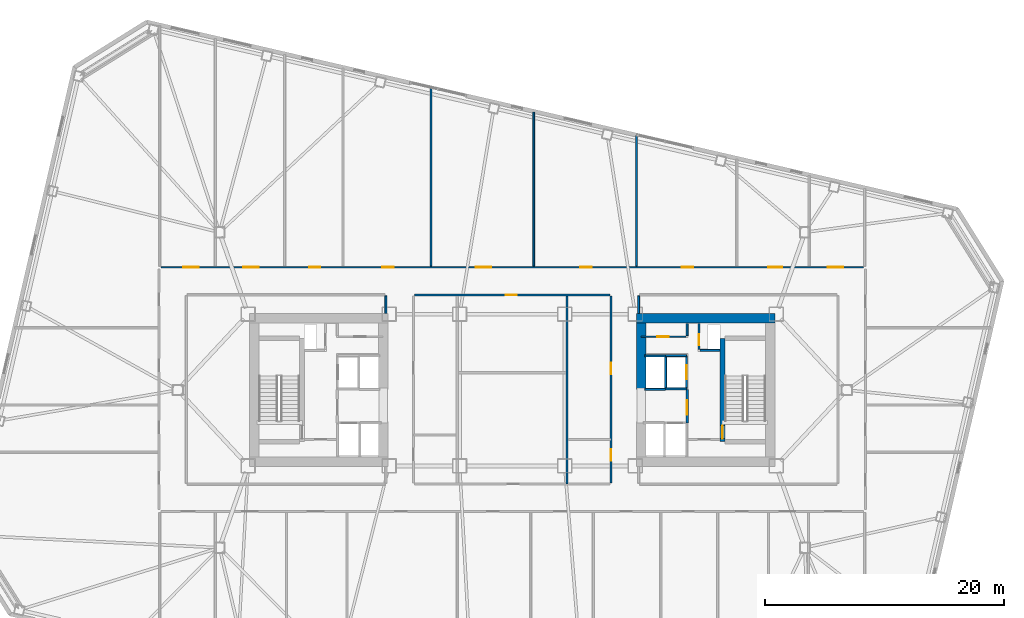
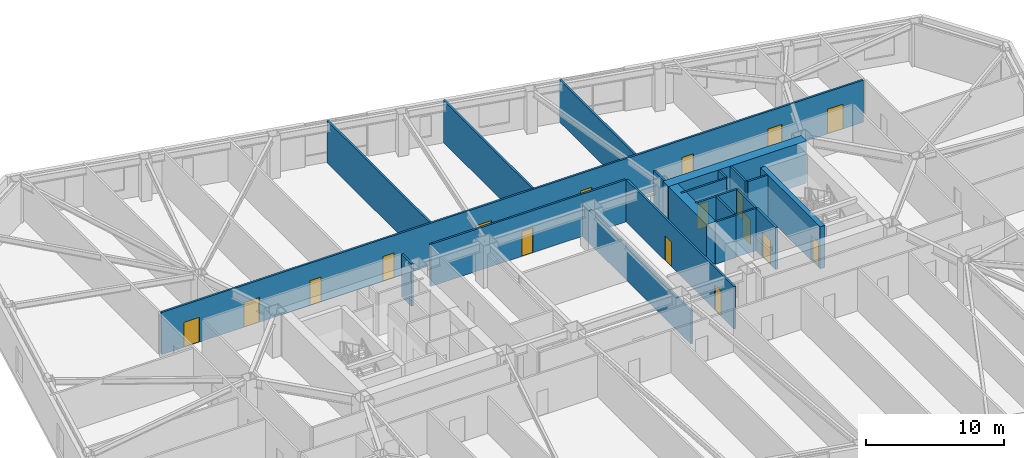
# One storey, part 11 of 18: 23 walls, 17 doors, 17 openings.
"""IFC4 building model written with IfcOpenShell, lengths in metres."""

from ifc_helpers import new_model, si_unit, direction, frame, frame_2d, origin, place, context, subcontext, project, spatial, rectangle, extrude, material, layer, layer_set, type_object, element, fill, save


model = new_model("IFC4")

# Units and contexts
model_context = context("Model", 3, precision=1e-05, world=origin(), true_north=direction((0.0, 1.0)))
body_context = subcontext(model_context, "Body", "Model", "MODEL_VIEW")
ifc_project = project(units=[si_unit("LENGTHUNIT", "METRE"), si_unit("AREAUNIT", "SQUARE_METRE"), si_unit("VOLUMEUNIT", "CUBIC_METRE"), si_unit("PLANEANGLEUNIT", "RADIAN"), si_unit("MASSUNIT", "GRAM", prefix="KILO")], contexts=[model_context])

# Site, building, storey
site_placement = place(None, origin())
site = spatial("IfcSite", under=ifc_project, at=site_placement, CompositionType="ELEMENT")
building_placement = place(site_placement, origin())
building = spatial("IfcBuilding", under=site, at=building_placement, Name="Tavrogorsk Clinical Tower", CompositionType="ELEMENT")
storey_placement = place(building_placement, frame((0.0, 0.0, 51.39990234375)))
storey = spatial("IfcBuildingStorey", under=building, at=storey_placement, Name="L10", CompositionType="ELEMENT", Elevation=51.39990234375)

# Wall, opening, door
ifc_material_1 = material(Name="Concrete B60", Category="concrete")
ifc_layer_1 = layer(ifc_material_1, 0.199951171875)
ifc_layer_set_1 = layer_set([ifc_layer_1], Name="Concrete B60")
wall_type_1 = type_object("IfcWallType", Name="CoreFireWall_200", PredefinedType="SOLIDWALL", material=ifc_layer_set_1)
wall_1_placement = place(storey_placement, frame((14.639892578125, -2.780029296875, 0.0), z_axis=(0.0, 0.0, 1.0), x_axis=(0.0, 1.0, 0.0)))
wall_1 = element("IfcWall", 1, at=wall_1_placement, inside=storey, type_object=wall_type_1, Name="L10 Core East Firefighting Lobby Fire Wall", PredefinedType="SOLIDWALL", context=body_context, shape_type="SweptSolid", body=[
    extrude(rectangle(XDim=2.820068359375, YDim=0.199951171875, at=frame_2d((1.41015625, 0.0))), origin(), (0.0, 0.0, 1.0), 3.739990234375),
])
opening_1_placement = place(wall_1_placement, frame((0.72998046875, 0.0, 0.0)))
opening_1 = element("IfcOpeningElement", 2, at=opening_1_placement, cuts=wall_1, Name="Opening FD-01", PredefinedType="OPENING", context=body_context, shape_type="SweptSolid", body=[
    extrude(rectangle(XDim=1.199951171875, YDim=2.199951171875, at=frame_2d((0.60009765625, 1.10009765625))), frame((0.0, 0.10986328125, 0.0), z_axis=(0.0, -1.0, 0.0), x_axis=(1.0, 0.0, 0.0)), (0.0, 0.0, 1.0), 0.219970703125),
])
ifc_material_2 = material(Name="Galvanised steel fire-rated door assembly", Category="steel")
door_type_1 = type_object("IfcDoorType", Name="FireDoor_FD01_1200", OperationType="NOTDEFINED", PredefinedType="DOOR", material=ifc_material_2)
door_1_placement = place(opening_1_placement, origin())
door_1 = element("IfcDoor", 3, at=door_1_placement, inside=storey, type_object=door_type_1, Name="L10 Core East Firefighting Lobby Entry Door", OperationType="SINGLE_SWING_RIGHT", OverallHeight=2.199951171875, OverallWidth=1.199951171875, PredefinedType="DOOR", context=body_context, shape_type="SweptSolid", body=[
    extrude(rectangle(XDim=1.199951171875, YDim=2.199951171875, at=frame_2d((0.60009765625, 1.10009765625))), frame((0.0, 0.02490234375, 0.0), z_axis=(0.0, -1.0, 0.0), x_axis=(1.0, 0.0, 0.0)), (0.0, 0.0, 1.0), 0.050048828125),
])
fill(opening_1, door_1)

ifc_material_3 = material(Name="Lightweight concrete blockwork B15", Category="masonry")
ifc_layer_2 = layer(ifc_material_3, 0.159912109375)
ifc_layer_set_2 = layer_set([ifc_layer_2], Name="Lightweight concrete blockwork B15")
wall_type_2 = type_object("IfcWallType", Name="PartitionWall_160", PredefinedType="PARTITIONING", material=ifc_layer_set_2)
wall_2_placement = place(storey_placement, frame((10.800048828125, 4.4599609375, 0.0), z_axis=(0.0, 0.0, 1.0), x_axis=(1.0, 0.0, 0.0)))
wall_2 = element("IfcWall", 4, at=wall_2_placement, inside=storey, type_object=wall_type_2, Name="L10 Core East Pneumatic Dispatch South Wall", PredefinedType="PARTITIONING", context=body_context, shape_type="SweptSolid", body=[
    extrude(rectangle(XDim=3.7548828125, YDim=0.159912109375, at=frame_2d((1.87744140625, 0.0))), origin(), (0.0, 0.0, 1.0), 3.739990234375),
])
opening_2_placement = place(wall_2_placement, frame((1.35009765625, 0.0, 0.0)))
opening_2 = element("IfcOpeningElement", 5, at=opening_2_placement, cuts=wall_2, Name="Opening ID-02", PredefinedType="OPENING", context=body_context, shape_type="SweptSolid", body=[
    extrude(rectangle(XDim=0.949951171875, YDim=2.199951171875, at=frame_2d((0.47509765625, 1.10009765625))), frame((0.0, 0.08984375, 0.0), z_axis=(0.0, -1.0, 0.0), x_axis=(1.0, 0.0, 0.0)), (0.0, 0.0, 1.0), 0.179931640625),
])
ifc_material_4 = material(Name="Laminated timber leaf on aluminium frame", Category="wood")
door_type_2 = type_object("IfcDoorType", Name="InteriorDoor_ID02_950", OperationType="NOTDEFINED", PredefinedType="DOOR", material=ifc_material_4)
door_2_placement = place(opening_2_placement, origin())
door_2 = element("IfcDoor", 6, at=door_2_placement, inside=storey, type_object=door_type_2, Name="L10 Core East Pneumatic Dispatch Door", OperationType="SINGLE_SWING_LEFT", OverallHeight=2.199951171875, OverallWidth=0.949951171875, PredefinedType="DOOR", context=body_context, shape_type="SweptSolid", body=[
    extrude(rectangle(XDim=0.949951171875, YDim=2.199951171875, at=frame_2d((0.47509765625, 1.10009765625))), frame((0.0, 0.02490234375, 0.0), z_axis=(0.0, -1.0, 0.0), x_axis=(1.0, 0.0, 0.0)), (0.0, 0.0, 1.0), 0.050048828125),
])
fill(opening_2, door_2)

# Wall
wall_3_placement = place(storey_placement, frame((14.639892578125, 4.544921875, 0.0), z_axis=(0.0, 0.0, 1.0), x_axis=(0.0, 1.0, 0.0)))
element("IfcWall", 7, at=wall_3_placement, inside=storey, type_object=wall_type_2, Name="L10 Core East Pneumatic Dispatch East Wall", PredefinedType="PARTITIONING", context=body_context, shape_type="SweptSolid", body=[
    extrude(rectangle(XDim=1.01513671875, YDim=0.159912109375, at=frame_2d((0.507568359375, 0.0))), origin(), (0.0, 0.0, 1.0), 3.739990234375),
])

# Wall, openings, doors
wall_4_placement = place(storey_placement, frame((-29.4150390625, 10.280029296875, 0.0), z_axis=(0.0, 0.0, 1.0), x_axis=(1.0, 0.0, 0.0)))
wall_4 = element("IfcWall", 8, at=wall_4_placement, inside=storey, type_object=wall_type_2, Name="L10 Corridor Partition 02", PredefinedType="PARTITIONING", context=body_context, shape_type="SweptSolid", body=[
    extrude(rectangle(XDim=58.830078125, YDim=0.159912109375, at=frame_2d((29.4150390625, 0.0))), origin(), (0.0, 0.0, 1.0), 3.739990234375),
])
opening_3_placement = place(wall_4_placement, frame((1.869140625, 0.0, 0.0)))
opening_3 = element("IfcOpeningElement", 9, at=opening_3_placement, cuts=wall_4, Name="Opening ID-01", PredefinedType="OPENING", context=body_context, shape_type="SweptSolid", body=[
    extrude(rectangle(XDim=1.300048828125, YDim=2.199951171875, at=frame_2d((0.64990234375, 1.10009765625))), frame((0.0, 0.08984375, 0.0), z_axis=(0.0, -1.0, 0.0), x_axis=(1.0, 0.0, 0.0)), (0.0, 0.0, 1.0), 0.179931640625),
])
opening_4_placement = place(wall_4_placement, frame((6.8974609375, 0.0, 0.0)))
opening_4 = element("IfcOpeningElement", 10, at=opening_4_placement, cuts=wall_4, Name="Opening ID-01", PredefinedType="OPENING", context=body_context, shape_type="SweptSolid", body=[
    extrude(rectangle(XDim=1.300048828125, YDim=2.199951171875, at=frame_2d((0.64990234375, 1.10009765625))), frame((0.0, 0.08984375, 0.0), z_axis=(0.0, -1.0, 0.0), x_axis=(1.0, 0.0, 0.0)), (0.0, 0.0, 1.0), 0.179931640625),
])
opening_5_placement = place(wall_4_placement, frame((12.41748046875, 0.0, 0.0)))
opening_5 = element("IfcOpeningElement", 11, at=opening_5_placement, cuts=wall_4, Name="Opening ID-02", PredefinedType="OPENING", context=body_context, shape_type="SweptSolid", body=[
    extrude(rectangle(XDim=0.949951171875, YDim=2.199951171875, at=frame_2d((0.47509765625, 1.10009765625))), frame((0.0, 0.08984375, 0.0), z_axis=(0.0, -1.0, 0.0), x_axis=(1.0, 0.0, 0.0)), (0.0, 0.0, 1.0), 0.179931640625),
])
opening_6_placement = place(wall_4_placement, frame((18.544921875, 0.0, 0.0)))
opening_6 = element("IfcOpeningElement", 12, at=opening_6_placement, cuts=wall_4, Name="Opening ID-02", PredefinedType="OPENING", context=body_context, shape_type="SweptSolid", body=[
    extrude(rectangle(XDim=0.949951171875, YDim=2.199951171875, at=frame_2d((0.47509765625, 1.10009765625))), frame((0.0, 0.08984375, 0.0), z_axis=(0.0, -1.0, 0.0), x_axis=(1.0, 0.0, 0.0)), (0.0, 0.0, 1.0), 0.179931640625),
])
opening_7_placement = place(wall_4_placement, frame((26.35009765625, 0.0, 0.0)))
opening_7 = element("IfcOpeningElement", 13, at=opening_7_placement, cuts=wall_4, Name="Opening ID-01", PredefinedType="OPENING", context=body_context, shape_type="SweptSolid", body=[
    extrude(rectangle(XDim=1.300048828125, YDim=2.199951171875, at=frame_2d((0.64990234375, 1.10009765625))), frame((0.0, 0.08984375, 0.0), z_axis=(0.0, -1.0, 0.0), x_axis=(1.0, 0.0, 0.0)), (0.0, 0.0, 1.0), 0.179931640625),
])
opening_8_placement = place(wall_4_placement, frame((35.125, 0.0, 0.0)))
opening_8 = element("IfcOpeningElement", 14, at=opening_8_placement, cuts=wall_4, Name="Opening ID-02", PredefinedType="OPENING", context=body_context, shape_type="SweptSolid", body=[
    extrude(rectangle(XDim=0.949951171875, YDim=2.199951171875, at=frame_2d((0.47509765625, 1.10009765625))), frame((0.0, 0.08984375, 0.0), z_axis=(0.0, -1.0, 0.0), x_axis=(1.0, 0.0, 0.0)), (0.0, 0.0, 1.0), 0.179931640625),
])
opening_9_placement = place(wall_4_placement, frame((43.625, 0.0, 0.0)))
opening_9 = element("IfcOpeningElement", 15, at=opening_9_placement, cuts=wall_4, Name="Opening ID-02", PredefinedType="OPENING", context=body_context, shape_type="SweptSolid", body=[
    extrude(rectangle(XDim=0.949951171875, YDim=2.199951171875, at=frame_2d((0.47509765625, 1.10009765625))), frame((0.0, 0.08984375, 0.0), z_axis=(0.0, -1.0, 0.0), x_axis=(1.0, 0.0, 0.0)), (0.0, 0.0, 1.0), 0.179931640625),
])
opening_10_placement = place(wall_4_placement, frame((50.85009765625, 0.0, 0.0)))
opening_10 = element("IfcOpeningElement", 16, at=opening_10_placement, cuts=wall_4, Name="Opening ID-06", PredefinedType="OPENING", context=body_context, shape_type="SweptSolid", body=[
    extrude(rectangle(XDim=1.14990234375, YDim=2.199951171875, at=frame_2d((0.574951171875, 1.10009765625))), frame((0.0, 0.08984375, 0.0), z_axis=(0.0, -1.0, 0.0), x_axis=(1.0, 0.0, 0.0)), (0.0, 0.0, 1.0), 0.179931640625),
])
opening_11_placement = place(wall_4_placement, frame((55.830810546875, 0.0, 0.0)))
opening_11 = element("IfcOpeningElement", 17, at=opening_11_placement, cuts=wall_4, Name="Opening ID-01", PredefinedType="OPENING", context=body_context, shape_type="SweptSolid", body=[
    extrude(rectangle(XDim=1.300048828125, YDim=2.199951171875, at=frame_2d((0.64990234375, 1.10009765625))), frame((0.0, 0.08984375, 0.0), z_axis=(0.0, -1.0, 0.0), x_axis=(1.0, 0.0, 0.0)), (0.0, 0.0, 1.0), 0.179931640625),
])
door_3_placement = place(opening_5_placement, origin())
door_3 = element("IfcDoor", 18, at=door_3_placement, inside=storey, type_object=door_type_2, Name="L10 North Physician Consultation Office 02B Door", OperationType="SINGLE_SWING_LEFT", OverallHeight=2.199951171875, OverallWidth=0.949951171875, PredefinedType="DOOR", context=body_context, shape_type="SweptSolid", body=[
    extrude(rectangle(XDim=0.949951171875, YDim=2.199951171875, at=frame_2d((0.47509765625, 1.10009765625))), frame((0.0, 0.02490234375, 0.0), z_axis=(0.0, -1.0, 0.0), x_axis=(1.0, 0.0, 0.0)), (0.0, 0.0, 1.0), 0.050048828125),
])
fill(opening_5, door_3)
door_4_placement = place(opening_6_placement, origin())
door_4 = element("IfcDoor", 19, at=door_4_placement, inside=storey, type_object=door_type_2, Name="L10 North Multidisciplinary Case Room 03 Door", OperationType="SINGLE_SWING_RIGHT", OverallHeight=2.199951171875, OverallWidth=0.949951171875, PredefinedType="DOOR", context=body_context, shape_type="SweptSolid", body=[
    extrude(rectangle(XDim=0.949951171875, YDim=2.199951171875, at=frame_2d((0.47509765625, 1.10009765625))), frame((0.0, 0.02490234375, 0.0), z_axis=(0.0, -1.0, 0.0), x_axis=(1.0, 0.0, 0.0)), (0.0, 0.0, 1.0), 0.050048828125),
])
fill(opening_6, door_4)
door_5_placement = place(opening_8_placement, origin())
door_5 = element("IfcDoor", 20, at=door_5_placement, inside=storey, type_object=door_type_2, Name="L10 North Clinical Examination Suite 05 Door", OperationType="SINGLE_SWING_RIGHT", OverallHeight=2.199951171875, OverallWidth=0.949951171875, PredefinedType="DOOR", context=body_context, shape_type="SweptSolid", body=[
    extrude(rectangle(XDim=0.949951171875, YDim=2.199951171875, at=frame_2d((0.47509765625, 1.10009765625))), frame((0.0, 0.02490234375, 0.0), z_axis=(0.0, -1.0, 0.0), x_axis=(1.0, 0.0, 0.0)), (0.0, 0.0, 1.0), 0.050048828125),
])
fill(opening_8, door_5)
door_6_placement = place(opening_9_placement, origin())
door_6 = element("IfcDoor", 21, at=door_6_placement, inside=storey, type_object=door_type_2, Name="L10 North Diagnostic Ultrasound Suite 06 Door", OperationType="SINGLE_SWING_LEFT", OverallHeight=2.199951171875, OverallWidth=0.949951171875, PredefinedType="DOOR", context=body_context, shape_type="SweptSolid", body=[
    extrude(rectangle(XDim=0.949951171875, YDim=2.199951171875, at=frame_2d((0.47509765625, 1.10009765625))), frame((0.0, 0.02490234375, 0.0), z_axis=(0.0, -1.0, 0.0), x_axis=(1.0, 0.0, 0.0)), (0.0, 0.0, 1.0), 0.050048828125),
])
fill(opening_9, door_6)
ifc_material_5 = material(Name="Antibacterial HPL procedure door on aluminium frame", Category="aluminium")
door_type_3 = type_object("IfcDoorType", Name="LabDoor_ID06_1150", OperationType="NOTDEFINED", PredefinedType="DOOR", material=ifc_material_5)
door_7_placement = place(opening_10_placement, origin())
door_7 = element("IfcDoor", 22, at=door_7_placement, inside=storey, type_object=door_type_3, Name="L10 North Physiotherapy Rehab Studio 07 Door", OperationType="SINGLE_SWING_RIGHT", OverallHeight=2.199951171875, OverallWidth=1.14990234375, PredefinedType="DOOR", context=body_context, shape_type="SweptSolid", body=[
    extrude(rectangle(XDim=1.14990234375, YDim=2.199951171875, at=frame_2d((0.574951171875, 1.10009765625))), frame((0.0, 0.02490234375, 0.0), z_axis=(0.0, -1.0, 0.0), x_axis=(1.0, 0.0, 0.0)), (0.0, 0.0, 1.0), 0.050048828125),
])
fill(opening_10, door_7)
ifc_material_6 = material(Name="Antibacterial HPL medical leaf on aluminium frame", Category="aluminium")
door_type_4 = type_object("IfcDoorType", Name="WardBedDoor_ID01_1300", OperationType="NOTDEFINED", PredefinedType="DOOR", material=ifc_material_6)
door_8_placement = place(opening_3_placement, origin())
door_8 = element("IfcDoor", 23, at=door_8_placement, inside=storey, type_object=door_type_4, Name="L10 North Acute Isolation Suite 01 Door", OperationType="SINGLE_SWING_LEFT", OverallHeight=2.199951171875, OverallWidth=1.300048828125, PredefinedType="DOOR", context=body_context, shape_type="SweptSolid", body=[
    extrude(rectangle(XDim=1.300048828125, YDim=2.199951171875, at=frame_2d((0.64990234375, 1.10009765625))), frame((0.0, 0.02490234375, 0.0), z_axis=(0.0, -1.0, 0.0), x_axis=(1.0, 0.0, 0.0)), (0.0, 0.0, 1.0), 0.050048828125),
])
fill(opening_3, door_8)
door_9_placement = place(opening_4_placement, origin())
door_9 = element("IfcDoor", 24, at=door_9_placement, inside=storey, type_object=door_type_4, Name="L10 North Sub-Acute Recovery Ward 02A Door", OperationType="SINGLE_SWING_RIGHT", OverallHeight=2.199951171875, OverallWidth=1.300048828125, PredefinedType="DOOR", context=body_context, shape_type="SweptSolid", body=[
    extrude(rectangle(XDim=1.300048828125, YDim=2.199951171875, at=frame_2d((0.64990234375, 1.10009765625))), frame((0.0, 0.02490234375, 0.0), z_axis=(0.0, -1.0, 0.0), x_axis=(1.0, 0.0, 0.0)), (0.0, 0.0, 1.0), 0.050048828125),
])
fill(opening_4, door_9)
door_10_placement = place(opening_7_placement, origin())
door_10 = element("IfcDoor", 25, at=door_10_placement, inside=storey, type_object=door_type_4, Name="L10 North Inpatient Clinical Ward 04 Door", OperationType="SINGLE_SWING_LEFT", OverallHeight=2.199951171875, OverallWidth=1.300048828125, PredefinedType="DOOR", context=body_context, shape_type="SweptSolid", body=[
    extrude(rectangle(XDim=1.300048828125, YDim=2.199951171875, at=frame_2d((0.64990234375, 1.10009765625))), frame((0.0, 0.02490234375, 0.0), z_axis=(0.0, -1.0, 0.0), x_axis=(1.0, 0.0, 0.0)), (0.0, 0.0, 1.0), 0.050048828125),
])
fill(opening_7, door_10)
door_11_placement = place(opening_11_placement, origin())
door_11 = element("IfcDoor", 26, at=door_11_placement, inside=storey, type_object=door_type_4, Name="L10 North Step-Down Telemetry Ward 08 Door", OperationType="SINGLE_SWING_LEFT", OverallHeight=2.199951171875, OverallWidth=1.300048828125, PredefinedType="DOOR", context=body_context, shape_type="SweptSolid", body=[
    extrude(rectangle(XDim=1.300048828125, YDim=2.199951171875, at=frame_2d((0.64990234375, 1.10009765625))), frame((0.0, 0.02490234375, 0.0), z_axis=(0.0, -1.0, 0.0), x_axis=(1.0, 0.0, 0.0)), (0.0, 0.0, 1.0), 0.050048828125),
])
fill(opening_11, door_11)

# Wall
wall_5_placement = place(storey_placement, frame((10.580078125, 7.885009765625, 0.0), z_axis=(0.0, 0.0, 1.0), x_axis=(0.0, -1.0, 0.0)))
element("IfcWall", 27, at=wall_5_placement, inside=storey, type_object=wall_type_2, Name="L10 Corridor Partition 06", PredefinedType="PARTITIONING", context=body_context, shape_type="SweptSolid", body=[
    extrude(rectangle(XDim=1.465087890625, YDim=0.159912109375, at=frame_2d((0.732421875, 0.0))), origin(), (0.0, 0.0, 1.0), 3.739990234375),
])

# Wall, openings, doors
wall_6_placement = place(storey_placement, frame((8.27001953125, -7.784912109375, 0.0), z_axis=(0.0, 0.0, 1.0), x_axis=(0.0, 1.0, 0.0)))
wall_6 = element("IfcWall", 28, at=wall_6_placement, inside=storey, type_object=wall_type_2, Name="L10 Corridor Partition 10", PredefinedType="PARTITIONING", context=body_context, shape_type="SweptSolid", body=[
    extrude(rectangle(XDim=15.669921875, YDim=0.159912109375, at=frame_2d((7.8349609375, 0.0))), origin(), (0.0, 0.0, 1.0), 3.739990234375),
])
opening_12_placement = place(wall_6_placement, frame((1.879150390625, 0.0, 0.0)))
opening_12 = element("IfcOpeningElement", 29, at=opening_12_placement, cuts=wall_6, Name="Opening ID-02", PredefinedType="OPENING", context=body_context, shape_type="SweptSolid", body=[
    extrude(rectangle(XDim=0.949951171875, YDim=2.199951171875, at=frame_2d((0.47509765625, 1.10009765625))), frame((0.0, 0.08984375, 0.0), z_axis=(0.0, -1.0, 0.0), x_axis=(1.0, 0.0, 0.0)), (0.0, 0.0, 1.0), 0.179931640625),
])
opening_13_placement = place(wall_6_placement, frame((9.11083984375, 0.0, 0.0)))
opening_13 = element("IfcOpeningElement", 30, at=opening_13_placement, cuts=wall_6, Name="Opening ID-02", PredefinedType="OPENING", context=body_context, shape_type="SweptSolid", body=[
    extrude(rectangle(XDim=0.949951171875, YDim=2.199951171875, at=frame_2d((0.47509765625, 1.10009765625))), frame((0.0, 0.08984375, 0.0), z_axis=(0.0, -1.0, 0.0), x_axis=(1.0, 0.0, 0.0)), (0.0, 0.0, 1.0), 0.179931640625),
])
door_12_placement = place(opening_12_placement, origin())
door_12 = element("IfcDoor", 31, at=door_12_placement, inside=storey, type_object=door_type_2, Name="L10 Staff & Visitor Accessible WC Door", OperationType="SINGLE_SWING_LEFT", OverallHeight=2.199951171875, OverallWidth=0.949951171875, PredefinedType="DOOR", context=body_context, shape_type="SweptSolid", body=[
    extrude(rectangle(XDim=0.949951171875, YDim=2.199951171875, at=frame_2d((0.47509765625, 1.10009765625))), frame((0.0, 0.02490234375, 0.0), z_axis=(0.0, -1.0, 0.0), x_axis=(1.0, 0.0, 0.0)), (0.0, 0.0, 1.0), 0.050048828125),
])
fill(opening_12, door_12)
door_13_placement = place(opening_13_placement, origin())
door_13 = element("IfcDoor", 32, at=door_13_placement, inside=storey, type_object=door_type_2, Name="L10 Attending Physician Office Door", OperationType="SINGLE_SWING_RIGHT", OverallHeight=2.199951171875, OverallWidth=0.949951171875, PredefinedType="DOOR", context=body_context, shape_type="SweptSolid", body=[
    extrude(rectangle(XDim=0.949951171875, YDim=2.199951171875, at=frame_2d((0.47509765625, 1.10009765625))), frame((0.0, 0.02490234375, 0.0), z_axis=(0.0, -1.0, 0.0), x_axis=(1.0, 0.0, 0.0)), (0.0, 0.0, 1.0), 0.050048828125),
])
fill(opening_13, door_13)

# Wall, opening, door
wall_7_placement = place(storey_placement, frame((8.18505859375, 7.969970703125, 0.0), z_axis=(0.0, 0.0, 1.0), x_axis=(-1.0, 0.0, 0.0)))
wall_7 = element("IfcWall", 33, at=wall_7_placement, inside=storey, type_object=wall_type_2, Name="L10 Corridor Partition 11", PredefinedType="PARTITIONING", context=body_context, shape_type="SweptSolid", body=[
    extrude(rectangle(XDim=16.3701171875, YDim=0.159912109375, at=frame_2d((8.18505859375, 0.0))), origin(), (0.0, 0.0, 1.0), 3.739990234375),
])
opening_14_placement = place(wall_7_placement, frame((7.794921875, 0.0, 0.0)))
opening_14 = element("IfcOpeningElement", 34, at=opening_14_placement, cuts=wall_7, Name="Opening ID-02", PredefinedType="OPENING", context=body_context, shape_type="SweptSolid", body=[
    extrude(rectangle(XDim=0.949951171875, YDim=2.199951171875, at=frame_2d((0.47509765625, 1.10009765625))), frame((0.0, 0.08984375, 0.0), z_axis=(0.0, -1.0, 0.0), x_axis=(1.0, 0.0, 0.0)), (0.0, 0.0, 1.0), 0.179931640625),
])
door_14_placement = place(opening_14_placement, origin())
door_14 = element("IfcDoor", 35, at=door_14_placement, inside=storey, type_object=door_type_2, Name="L10 Nurses' Station & Triage Hub Door", OperationType="SINGLE_SWING_RIGHT", OverallHeight=2.199951171875, OverallWidth=0.949951171875, PredefinedType="DOOR", context=body_context, shape_type="SweptSolid", body=[
    extrude(rectangle(XDim=0.949951171875, YDim=2.199951171875, at=frame_2d((0.47509765625, 1.10009765625))), frame((0.0, 0.02490234375, 0.0), z_axis=(0.0, -1.0, 0.0), x_axis=(1.0, 0.0, 0.0)), (0.0, 0.0, 1.0), 0.050048828125),
])
fill(opening_14, door_14)

# Walls
wall_8_placement = place(storey_placement, frame((-10.580078125, 6.419921875, 0.0), z_axis=(0.0, 0.0, 1.0), x_axis=(0.0, 1.0, 0.0)))
element("IfcWall", 36, at=wall_8_placement, inside=storey, type_object=wall_type_2, Name="L10 Corridor Partition 15", PredefinedType="PARTITIONING", context=body_context, shape_type="SweptSolid", body=[
    extrude(rectangle(XDim=1.465087890625, YDim=0.159912109375, at=frame_2d((0.732421875, 0.0))), origin(), (0.0, 0.0, 1.0), 3.739990234375),
])
wall_9_placement = place(storey_placement, frame((-6.800048828125, 10.364990234375, 0.0), z_axis=(0.0, 0.0, 1.0), x_axis=(0.0, 1.0, 0.0)))
element("IfcWall", 37, at=wall_9_placement, inside=storey, type_object=wall_type_2, Name="L10 North Room Partition 3", PredefinedType="PARTITIONING", context=body_context, shape_type="SweptSolid", body=[
    extrude(rectangle(XDim=14.8779296875, YDim=0.159912109375, at=frame_2d((7.43896484375, 0.0))), origin(), (0.0, 0.0, 1.0), 3.739990234375),
])
wall_10_placement = place(storey_placement, frame((1.800048828125, 10.364990234375, 0.0), z_axis=(0.0, 0.0, 1.0), x_axis=(0.0, 1.0, 0.0)))
element("IfcWall", 38, at=wall_10_placement, inside=storey, type_object=wall_type_2, Name="L10 North Room Partition 4", PredefinedType="PARTITIONING", context=body_context, shape_type="SweptSolid", body=[
    extrude(rectangle(XDim=12.892333984375, YDim=0.159912109375, at=frame_2d((6.4462890625, 0.0))), origin(), (0.0, 0.0, 1.0), 3.739990234375),
])
wall_11_placement = place(storey_placement, frame((10.39990234375, 10.364990234375, 0.0), z_axis=(0.0, 0.0, 1.0), x_axis=(0.0, 1.0, 0.0)))
element("IfcWall", 39, at=wall_11_placement, inside=storey, type_object=wall_type_2, Name="L10 North Room Partition 5", PredefinedType="PARTITIONING", context=body_context, shape_type="SweptSolid", body=[
    extrude(rectangle(XDim=10.906982421875, YDim=0.159912109375, at=frame_2d((5.45361328125, 0.0))), origin(), (0.0, 0.0, 1.0), 3.739990234375),
])
ifc_material_7 = material(Name="Lightweight concrete blockwork B20", Category="masonry")
ifc_layer_3 = layer(ifc_material_7, 0.179931640625)
ifc_layer_set_3 = layer_set([ifc_layer_3], Name="Lightweight concrete blockwork B20")
wall_type_3 = type_object("IfcWallType", Name="PartitionWall_180", PredefinedType="PARTITIONING", material=ifc_layer_set_3)
wall_12_placement = place(storey_placement, frame((4.60009765625, -7.864990234375, 0.0), z_axis=(0.0, 0.0, 1.0), x_axis=(0.0, 1.0, 0.0)))
element("IfcWall", 40, at=wall_12_placement, inside=storey, type_object=wall_type_3, Name="L10 Central Spine Partition 2", PredefinedType="PARTITIONING", context=body_context, shape_type="SweptSolid", body=[
    extrude(rectangle(XDim=15.830078125, YDim=0.179931640625, at=frame_2d((7.9150390625, 0.0))), origin(), (0.0, 0.0, 1.0), 2.93505859375),
])

# Wall, opening, door
ifc_material_8 = material(Name="Lightweight concrete blockwork B25", Category="masonry")
ifc_layer_4 = layer(ifc_material_8, 0.159912109375)
ifc_layer_set_4 = layer_set([ifc_layer_4], Name="Lightweight concrete blockwork B25")
wall_type_4 = type_object("IfcWallType", Name="ShaftWall_160", PredefinedType="PARTITIONING", material=ifc_layer_set_4)
wall_13_placement = place(storey_placement, frame((14.60009765625, 0.1201171875, 0.0), z_axis=(0.0, 0.0, 1.0), x_axis=(0.0, 1.0, 0.0)))
wall_13 = element("IfcWall", 41, at=wall_13_placement, inside=storey, type_object=wall_type_4, Name="L10 FFL-E Firefighting Lift Front Wall", PredefinedType="PARTITIONING", context=body_context, shape_type="SweptSolid", body=[
    extrude(rectangle(XDim=2.739990234375, YDim=0.159912109375, at=frame_2d((1.3701171875, 0.0))), origin(), (0.0, 0.0, 1.0), 3.739990234375),
])
opening_15_placement = place(wall_13_placement, frame((0.77001953125, 0.0, 0.0)))
opening_15 = element("IfcOpeningElement", 42, at=opening_15_placement, cuts=wall_13, Name="Opening LD", PredefinedType="OPENING", context=body_context, shape_type="SweptSolid", body=[
    extrude(rectangle(XDim=1.199951171875, YDim=2.199951171875, at=frame_2d((0.60009765625, 1.10009765625))), frame((0.0, 0.08984375, 0.0), z_axis=(0.0, -1.0, 0.0), x_axis=(1.0, 0.0, 0.0)), (0.0, 0.0, 1.0), 0.179931640625),
])
ifc_material_9 = material(Name="Brushed stainless steel AISI 304 sliding doors", Category="steel")
door_type_5 = type_object("IfcDoorType", Name="LiftLandingDoor_LD_1200", OperationType="SLIDING_TO_LEFT", PredefinedType="DOOR", material=ifc_material_9)
door_15_placement = place(opening_15_placement, origin())
door_15 = element("IfcDoor", 43, at=door_15_placement, inside=storey, type_object=door_type_5, Name="L10 FFL-E Sliding Lift Landing Door", OperationType="SLIDING_TO_LEFT", OverallHeight=2.199951171875, OverallWidth=1.199951171875, PredefinedType="DOOR", context=body_context, shape_type="SweptSolid", body=[
    extrude(rectangle(XDim=1.199951171875, YDim=2.199951171875, at=frame_2d((0.60009765625, 1.10009765625))), frame((0.0, 0.02490234375, 0.0), z_axis=(0.0, -1.0, 0.0), x_axis=(1.0, 0.0, 0.0)), (0.0, 0.0, 1.0), 0.050048828125),
])
fill(opening_15, door_15)

# Walls
for number, where, z_axis, x_axis, name in (
    (44, (12.840087890625, 0.10009765625, 0.0), (0.0, 0.0, 1.0), (1.0, 0.0, 0.0), "L10 FFL-E Shaft South Wall"),
    (45, (12.840087890625, 2.8798828125, 0.0), (0.0, 0.0, 1.0), (1.0, 0.0, 0.0), "L10 FFL-E Shaft North Wall"),
):
    element("IfcWall", number, at=place(storey_placement, frame(where, z_axis=z_axis, x_axis=x_axis)), inside=storey, type_object=wall_type_4, Name=name, PredefinedType="PARTITIONING", context=body_context, shape_type="SweptSolid", body=[
        extrude(rectangle(XDim=1.760009765625, YDim=0.159912109375, at=frame_2d((0.8798828125, 0.0))), origin(), (0.0, 0.0, 1.0), 3.739990234375),
    ])
wall_14_placement = place(storey_placement, frame((12.840087890625, 0.179931640625, 0.0), z_axis=(0.0, 0.0, 1.0), x_axis=(0.0, 1.0, 0.0)))
element("IfcWall", 46, at=wall_14_placement, inside=storey, type_object=wall_type_4, Name="L10 FFL-E Shaft Back Wall", PredefinedType="PARTITIONING", context=body_context, shape_type="SweptSolid", body=[
    extrude(rectangle(XDim=2.6201171875, YDim=0.159912109375, at=frame_2d((1.31005859375, 0.0))), origin(), (0.0, 0.0, 1.0), 3.739990234375),
])
for number, where, z_axis, x_axis, name in (
    (47, (11.10009765625, 0.06005859375, 0.0), (0.0, 0.0, 1.0), (1.0, 0.0, 0.0), "L10 LP-H2 High-Zone Lift Portal Wall"),
    (48, (11.10009765625, 2.860107421875, 0.0), (0.0, 0.0, 1.0), (1.0, 0.0, 0.0), "L10 LP-H2 High-Zone Lift Rear Wall"),
):
    element("IfcWall", number, at=place(storey_placement, frame(where, z_axis=z_axis, x_axis=x_axis)), inside=storey, type_object=wall_type_4, Name=name, PredefinedType="PARTITIONING", context=body_context, shape_type="SweptSolid", body=[
        extrude(rectangle(XDim=1.719970703125, YDim=0.159912109375, at=frame_2d((0.85986328125, 0.0))), origin(), (0.0, 0.0, 1.0), 3.739990234375),
    ])

# Wall, opening, door
wall_15_placement = place(storey_placement, frame((15.639892578125, 3.405029296875, 0.0), z_axis=(0.0, 0.0, 1.0), x_axis=(0.0, 1.0, 0.0)))
wall_15 = element("IfcWall", 49, at=wall_15_placement, inside=storey, type_object=wall_type_4, Name="L10 Core East Riser West Wall", PredefinedType="PARTITIONING", context=body_context, shape_type="SweptSolid", body=[
    extrude(rectangle(XDim=2.155029296875, YDim=0.159912109375, at=frame_2d((1.07763671875, 0.0))), origin(), (0.0, 0.0, 1.0), 3.739990234375),
])
opening_16_placement = place(wall_15_placement, frame((0.35009765625, 0.0, 0.0)))
opening_16 = element("IfcOpeningElement", 50, at=opening_16_placement, cuts=wall_15, Name="Opening FD-02", PredefinedType="OPENING", context=body_context, shape_type="SweptSolid", body=[
    extrude(rectangle(XDim=0.89990234375, YDim=2.199951171875, at=frame_2d((0.449951171875, 1.10009765625))), frame((0.0, 0.08984375, 0.0), z_axis=(0.0, -1.0, 0.0), x_axis=(1.0, 0.0, 0.0)), (0.0, 0.0, 1.0), 0.179931640625),
])
ifc_material_10 = material(Name="Galvanised steel fire-rated door assembly", Category="steel")
door_type_6 = type_object("IfcDoorType", Name="FireDoor_FD02_900", OperationType="NOTDEFINED", PredefinedType="DOOR", material=ifc_material_10)
door_16_placement = place(opening_16_placement, origin())
door_16 = element("IfcDoor", 51, at=door_16_placement, inside=storey, type_object=door_type_6, Name="L10 Core East Electrical Riser Access Door", OperationType="SINGLE_SWING_LEFT", OverallHeight=2.199951171875, OverallWidth=0.89990234375, PredefinedType="DOOR", context=body_context, shape_type="SweptSolid", body=[
    extrude(rectangle(XDim=0.89990234375, YDim=2.199951171875, at=frame_2d((0.449951171875, 1.10009765625))), frame((0.0, 0.02490234375, 0.0), z_axis=(0.0, -1.0, 0.0), x_axis=(1.0, 0.0, 0.0)), (0.0, 0.0, 1.0), 0.050048828125),
])
fill(opening_16, door_16)

# Wall
wall_16_placement = place(storey_placement, frame((15.72509765625, 3.320068359375, 0.0), z_axis=(0.0, 0.0, 1.0), x_axis=(1.0, 0.0, 0.0)))
element("IfcWall", 52, at=wall_16_placement, inside=storey, type_object=wall_type_4, Name="L10 Core East Riser South Wall", PredefinedType="PARTITIONING", context=body_context, shape_type="SweptSolid", body=[
    extrude(rectangle(XDim=1.65478515625, YDim=0.159912109375, at=frame_2d((0.827392578125, 0.0))), origin(), (0.0, 0.0, 1.0), 3.739990234375),
])

# Wall, opening, door
ifc_material_11 = material(Name="Concrete B80", Category="concrete")
ifc_layer_5 = layer(ifc_material_11, 0.39990234375)
ifc_layer_set_5 = layer_set([ifc_layer_5], Name="Concrete B80")
wall_type_5 = type_object("IfcWallType", Name="ShearWall_400", PredefinedType="SHEAR", material=ifc_layer_set_5)
wall_17_placement = place(storey_placement, frame((17.60009765625, -4.324951171875, 0.0), z_axis=(0.0, 0.0, 1.0), x_axis=(0.0, 1.0, 0.0)))
wall_17 = element("IfcWall", 53, at=wall_17_placement, inside=storey, type_object=wall_type_5, Name="L10 Core East Stair Shaft Inner Shear Wall", PredefinedType="SHEAR", context=body_context, shape_type="SweptSolid", body=[
    extrude(rectangle(XDim=8.64990234375, YDim=0.39990234375, at=frame_2d((4.324951171875, 0.0))), origin(), (0.0, 0.0, 1.0), 3.739990234375),
])
opening_17_placement = place(wall_17_placement, frame((0.25, 0.0, 0.0)))
opening_17 = element("IfcOpeningElement", 54, at=opening_17_placement, cuts=wall_17, Name="Opening SD-01", PredefinedType="OPENING", context=body_context, shape_type="SweptSolid", body=[
    extrude(rectangle(XDim=1.10009765625, YDim=2.199951171875, at=frame_2d((0.550048828125, 1.10009765625))), frame((0.0, 0.2099609375, 0.0), z_axis=(0.0, -1.0, 0.0), x_axis=(1.0, 0.0, 0.0)), (0.0, 0.0, 1.0), 0.419921875),
])
ifc_material_12 = material(Name="Galvanised steel smoke-tight fire door assembly", Category="steel")
door_type_7 = type_object("IfcDoorType", Name="StairFireDoor_SD01_1100", OperationType="NOTDEFINED", PredefinedType="DOOR", material=ifc_material_12)
door_17_placement = place(opening_17_placement, origin())
door_17 = element("IfcDoor", 55, at=door_17_placement, inside=storey, type_object=door_type_7, Name="L10 ST-E Exit Stair Door", OperationType="SINGLE_SWING_RIGHT", OverallHeight=2.199951171875, OverallWidth=1.10009765625, PredefinedType="DOOR", context=body_context, shape_type="SweptSolid", body=[
    extrude(rectangle(XDim=1.10009765625, YDim=2.199951171875, at=frame_2d((0.550048828125, 1.10009765625))), frame((0.0, 0.02490234375, 0.0), z_axis=(0.0, -1.0, 0.0), x_axis=(1.0, 0.0, 0.0)), (0.0, 0.0, 1.0), 0.050048828125),
])
fill(opening_17, door_17)

# Walls
ifc_material_13 = material(Name="Concrete B80", Category="concrete")
ifc_layer_6 = layer(ifc_material_13, 0.800048828125)
ifc_layer_set_6 = layer_set([ifc_layer_6], Name="Concrete B80")
wall_type_6 = type_object("IfcWallType", Name="ShearWall_800", PredefinedType="SHEAR", material=ifc_layer_set_6)
wall_18_placement = place(storey_placement, frame((10.39990234375, 6.0, 0.0), z_axis=(0.0, 0.0, 1.0), x_axis=(1.0, 0.0, 0.0)))
element("IfcWall", 56, at=wall_18_placement, inside=storey, type_object=wall_type_6, Name="L10 Core East North Shear Wall", PredefinedType="SHEAR", context=body_context, shape_type="SweptSolid", body=[
    extrude(rectangle(XDim=11.60009765625, YDim=0.800048828125, at=frame_2d((5.800048828125, 0.0))), origin(), (0.0, 0.0, 1.0), 3.739990234375),
])
wall_19_placement = place(storey_placement, frame((10.800048828125, 0.050048828125, 0.0), z_axis=(0.0, 0.0, 1.0), x_axis=(0.0, 1.0, 0.0)))
element("IfcWall", 57, at=wall_19_placement, inside=storey, type_object=wall_type_6, Name="L10 Core East Inner North Pier", PredefinedType="SHEAR", context=body_context, shape_type="SweptSolid", body=[
    extrude(rectangle(XDim=5.550048828125, YDim=0.800048828125, at=frame_2d((2.77490234375, 0.0))), origin(), (0.0, 0.0, 1.0), 3.739990234375),
])

save(model, "model.ifc")
